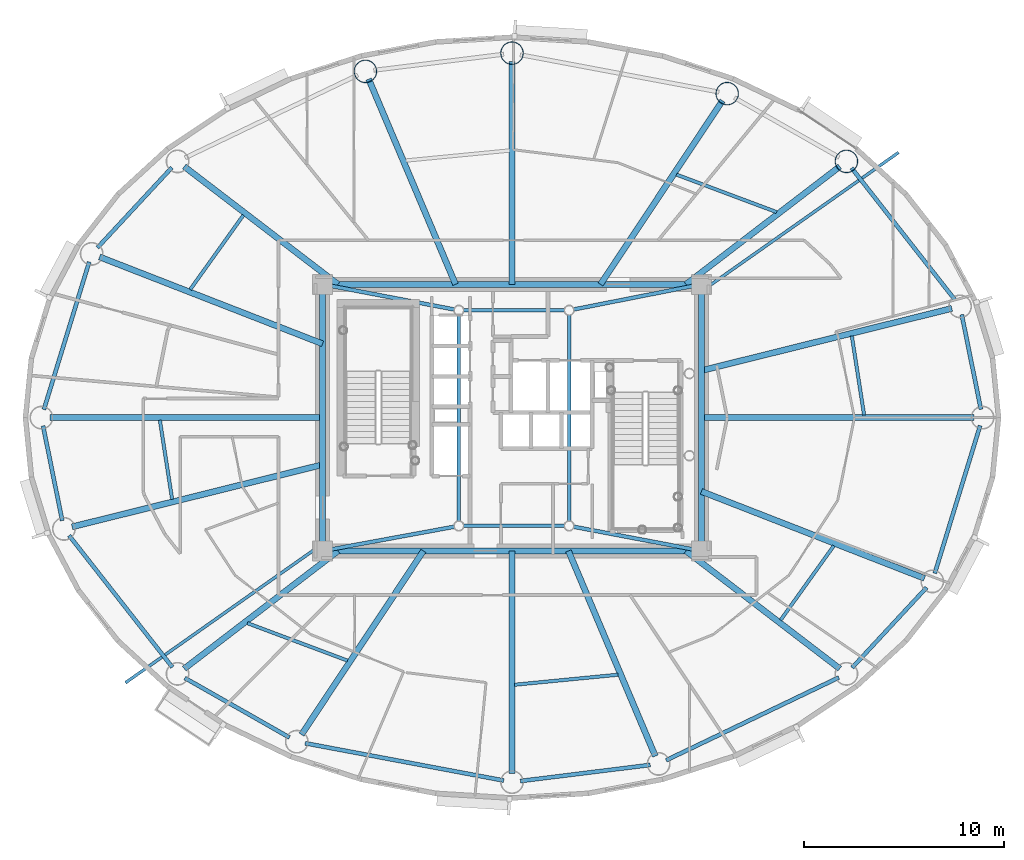
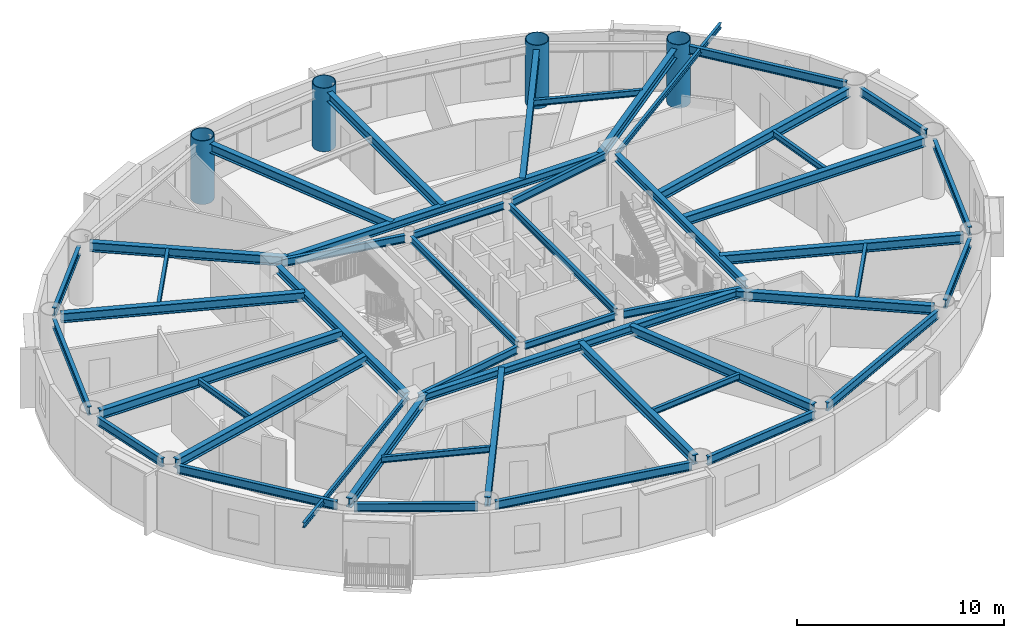
# One storey, part 3 of 18: 49 beams, 4 columns.
"""IFC4 building model written with IfcOpenShell, lengths in metres."""

from ifc_helpers import new_model, si_unit, direction, frame, origin, origin_2d, place, context, subcontext, project, spatial, hollow_circle, i_section, extrude, material, material_profile, profile_set, type_object, element, save


model = new_model("IFC4")

# Units and contexts
model_context = context("Model", 3, precision=1e-05, world=origin(), true_north=direction((0.0, 1.0)))
body_context = subcontext(model_context, "Body", "Model", "MODEL_VIEW")
ifc_project = project(units=[si_unit("LENGTHUNIT", "METRE"), si_unit("AREAUNIT", "SQUARE_METRE"), si_unit("VOLUMEUNIT", "CUBIC_METRE"), si_unit("PLANEANGLEUNIT", "RADIAN"), si_unit("MASSUNIT", "GRAM", prefix="KILO")], contexts=[model_context])

# Site, building, storey
site_placement = place(None, origin())
site = spatial("IfcSite", under=ifc_project, at=site_placement, CompositionType="ELEMENT")
building_placement = place(site_placement, origin())
building = spatial("IfcBuilding", under=site, at=building_placement, Name="Linh Dai School and Residence Tower", CompositionType="ELEMENT")
storey_placement = place(building_placement, frame((0.0, 0.0, 244.050048828125)))
storey = spatial("IfcBuildingStorey", under=building, at=storey_placement, Name="L60", CompositionType="ELEMENT", Elevation=244.050048828125)

# Columns
ifc_material = material(Name="Structural Steel S355JR", Category="steel")
ifc_material_profile_1 = material_profile(ifc_material, hollow_circle(Radius=0.574951171875, WallThickness=0.035888671875, at=origin_2d()), Name="CHS 1150x36")
ifc_profile_set_1 = profile_set([ifc_material_profile_1], Name="Structural Steel S355JR")
column_type = type_object("IfcColumnType", Name="COL-MC5", PredefinedType="COLUMN", material=ifc_profile_set_1)
for number, where, z_axis, x_axis, name in (
    (1, (52.68310546875, 39.781005859375, 0.0), (0.0, 0.0, 1.0), (1.0, 0.0, 0.0), "L60 Perimeter CFT Mega-Column MC03"),
    (2, (46.734619140625, 43.16357421875, 0.0), (0.0, 0.0, 1.0), (1.0, 0.0, 0.0), "L60 Perimeter CFT Mega-Column MC04"),
    (3, (36.0, 45.179931640625, 0.0), (0.0, 0.0, 1.0), (1.0, 0.0, 0.0), "L60 Perimeter CFT Mega-Column MC05"),
    (4, (28.68798828125, 44.2734375, 0.0), (0.0, 0.0, 1.0), (1.0, 0.0, 0.0), "L60 Perimeter CFT Mega-Column MC06"),
):
    element("IfcColumn", number, at=place(storey_placement, frame(where, z_axis=z_axis, x_axis=x_axis)), inside=storey, type_object=column_type, Name=name, PredefinedType="COLUMN", context=body_context, shape_type="SweptSolid", body=[
        extrude(hollow_circle(Radius=0.574951171875, WallThickness=0.035888671875, at=origin_2d()), origin(), (0.0, 0.0, 1.0), 3.75),
    ])

# Beams
ifc_material_profile_2 = material_profile(ifc_material, i_section(OverallWidth=0.14990234375, OverallDepth=0.300048828125, WebThickness=0.007080078125, FlangeThickness=0.0107421875, at=origin_2d()), Name="IPE 300")
ifc_profile_set_2 = profile_set([ifc_material_profile_2], Name="Structural Steel S355JR")
beam_type_1 = type_object("IfcBeamType", Name="BM-BALC-CANT", PredefinedType="BEAM", material=ifc_profile_set_2)
for number, where, z_axis, x_axis, name in (
    (5, (45.449951171875, 33.301513671875, 3.349853515625), (0.817596484683, 0.57579161876, 0.0), (-0.57579161876, 0.817596484683, 0.0), "L61 Balcony Continuous Cantilever Beam 05"),
    (6, (26.550048828125, 20.698486328125, 3.349853515625), (-0.817596484683, -0.57579161876, 0.0), (0.57579161876, -0.817596484683, 0.0), "L61 Balcony Continuous Cantilever Beam 25"),
):
    element("IfcBeam", number, at=place(storey_placement, frame(where, z_axis=z_axis, x_axis=x_axis)), inside=storey, type_object=beam_type_1, Name=name, PredefinedType="BEAM", context=body_context, shape_type="SweptSolid", body=[
        extrude(i_section(OverallWidth=0.14990234375, OverallDepth=0.300048828125, WebThickness=0.007080078125, FlangeThickness=0.0107421875, at=origin_2d()), origin(), (0.0, 0.0, 1.0), 12.02392578125),
    ])
ifc_material_profile_3 = material_profile(ifc_material, i_section(OverallWidth=0.199951171875, OverallDepth=0.5, WebThickness=0.01025390625, FlangeThickness=0.01611328125, FilletRadius=0.02099609375, at=origin_2d()), Name="IPE 500")
ifc_profile_set_3 = profile_set([ifc_material_profile_3], Name="Structural Steel S355JR")
beam_type_2 = type_object("IfcBeamType", Name="BM-RB50", PredefinedType="BEAM", material=ifc_profile_set_3)
beam_1_placement = place(storey_placement, frame((59.3916015625, 27.41162109375, 3.25), z_axis=(-0.198423200906, 0.980116438666, 0.0), x_axis=(-0.980116438666, -0.198423200906, 0.0)))
element("IfcBeam", 7, at=beam_1_placement, inside=storey, type_object=beam_type_2, Name="L60 Perimeter Elliptical Ring Beam 01", PredefinedType="BEAM", context=body_context, shape_type="SweptSolid", body=[
    extrude(i_section(OverallWidth=0.199951171875, OverallDepth=0.5, WebThickness=0.01025390625, FlangeThickness=0.01611328125, FilletRadius=0.02099609375, at=origin_2d()), origin(), (0.0, 0.0, 1.0), 4.822021484375),
])
beam_2_placement = place(storey_placement, frame((58.09228515625, 32.8798828125, 3.25), z_axis=(-0.616900268003, 0.787041332674, 0.0), x_axis=(-0.787041332674, -0.616900268003, 0.0)))
element("IfcBeam", 8, at=beam_2_placement, inside=storey, type_object=beam_type_2, Name="L60 Perimeter Elliptical Ring Beam 02", PredefinedType="BEAM", context=body_context, shape_type="SweptSolid", body=[
    extrude(i_section(OverallWidth=0.199951171875, OverallDepth=0.5, WebThickness=0.01025390625, FlangeThickness=0.01611328125, FilletRadius=0.02099609375, at=origin_2d()), origin(), (0.0, 0.0, 1.0), 8.348388671875),
])
beam_3_placement = place(storey_placement, frame((19.031005859375, 39.47314453125, 3.25), z_axis=(-0.68040816846, -0.732833353699, 0.0), x_axis=(0.732833353699, -0.68040816846, 0.0)))
element("IfcBeam", 9, at=beam_3_placement, inside=storey, type_object=beam_type_2, Name="L60 Perimeter Elliptical Ring Beam 07", PredefinedType="BEAM", context=body_context, shape_type="SweptSolid", body=[
    extrude(i_section(OverallWidth=0.199951171875, OverallDepth=0.5, WebThickness=0.01025390625, FlangeThickness=0.01611328125, FilletRadius=0.02099609375, at=origin_2d()), origin(), (0.0, 0.0, 1.0), 5.453369140625),
])
beam_4_placement = place(storey_placement, frame((14.911376953125, 34.767578125, 3.25), z_axis=(-0.293660595717, -0.95590975229, 0.0), x_axis=(0.95590975229, -0.293660595717, 0.0)))
element("IfcBeam", 10, at=beam_4_placement, inside=storey, type_object=beam_type_2, Name="L60 Perimeter Elliptical Ring Beam 08", PredefinedType="BEAM", context=body_context, shape_type="SweptSolid", body=[
    extrude(i_section(OverallWidth=0.199951171875, OverallDepth=0.5, WebThickness=0.01025390625, FlangeThickness=0.01611328125, FilletRadius=0.02099609375, at=origin_2d()), origin(), (0.0, 0.0, 1.0), 7.7060546875),
])
beam_5_placement = place(storey_placement, frame((12.6083984375, 26.58837890625, 3.25), z_axis=(0.198423200906, -0.980116438666, 0.0), x_axis=(0.980116438666, 0.198423200906, 0.0)))
element("IfcBeam", 11, at=beam_5_placement, inside=storey, type_object=beam_type_2, Name="L60 Perimeter Elliptical Ring Beam 09", PredefinedType="BEAM", context=body_context, shape_type="SweptSolid", body=[
    extrude(i_section(OverallWidth=0.199951171875, OverallDepth=0.5, WebThickness=0.01025390625, FlangeThickness=0.01611328125, FilletRadius=0.02099609375, at=origin_2d()), origin(), (0.0, 0.0, 1.0), 4.822021484375),
])
beam_6_placement = place(storey_placement, frame((13.90771484375, 21.1201171875, 3.25), z_axis=(0.616900268003, -0.787041332674, 0.0), x_axis=(0.787041332674, 0.616900268003, 0.0)))
element("IfcBeam", 12, at=beam_6_placement, inside=storey, type_object=beam_type_2, Name="L60 Perimeter Elliptical Ring Beam 10", PredefinedType="BEAM", context=body_context, shape_type="SweptSolid", body=[
    extrude(i_section(OverallWidth=0.199951171875, OverallDepth=0.5, WebThickness=0.01025390625, FlangeThickness=0.01611328125, FilletRadius=0.02099609375, at=origin_2d()), origin(), (0.0, 0.0, 1.0), 8.348388671875),
])
beam_7_placement = place(storey_placement, frame((19.681884765625, 14.011474609375, 3.25), z_axis=(0.869297314463, -0.494289570058, 0.0), x_axis=(0.494289570058, 0.869297314463, 0.0)))
element("IfcBeam", 13, at=beam_7_placement, inside=storey, type_object=beam_type_2, Name="L60 Perimeter Elliptical Ring Beam 11", PredefinedType="BEAM", context=body_context, shape_type="SweptSolid", body=[
    extrude(i_section(OverallWidth=0.199951171875, OverallDepth=0.5, WebThickness=0.01025390625, FlangeThickness=0.01611328125, FilletRadius=0.02099609375, at=origin_2d()), origin(), (0.0, 0.0, 1.0), 6.003173828125),
])
beam_8_placement = place(storey_placement, frame((25.67822265625, 10.759033203125, 3.25), z_axis=(0.982806607762, -0.184637947722, 0.0), x_axis=(0.184637947722, 0.982806607762, 0.0)))
element("IfcBeam", 14, at=beam_8_placement, inside=storey, type_object=beam_type_2, Name="L60 Perimeter Elliptical Ring Beam 12", PredefinedType="BEAM", context=body_context, shape_type="SweptSolid", body=[
    extrude(i_section(OverallWidth=0.199951171875, OverallDepth=0.5, WebThickness=0.01025390625, FlangeThickness=0.01611328125, FilletRadius=0.02099609375, at=origin_2d()), origin(), (0.0, 0.0, 1.0), 10.082275390625),
])
beam_9_placement = place(storey_placement, frame((36.416748046875, 8.87158203125, 3.25), z_axis=(0.992401656104, 0.123040452539, 0.0), x_axis=(-0.123040452539, 0.992401656104, 0.0)))
element("IfcBeam", 15, at=beam_9_placement, inside=storey, type_object=beam_type_2, Name="L60 Perimeter Elliptical Ring Beam 13", PredefinedType="BEAM", context=body_context, shape_type="SweptSolid", body=[
    extrude(i_section(OverallWidth=0.199951171875, OverallDepth=0.5, WebThickness=0.01025390625, FlangeThickness=0.01611328125, FilletRadius=0.02099609375, at=origin_2d()), origin(), (0.0, 0.0, 1.0), 6.528076171875),
])
beam_10_placement = place(storey_placement, frame((43.690673828125, 9.907958984375, 3.25), z_axis=(0.901735920201, 0.432287323686, 0.0), x_axis=(-0.432287323686, 0.901735920201, 0.0)))
element("IfcBeam", 16, at=beam_10_placement, inside=storey, type_object=beam_type_2, Name="L60 Perimeter Elliptical Ring Beam 14", PredefinedType="BEAM", context=body_context, shape_type="SweptSolid", body=[
    extrude(i_section(OverallWidth=0.199951171875, OverallDepth=0.5, WebThickness=0.01025390625, FlangeThickness=0.01611328125, FilletRadius=0.02099609375, at=origin_2d()), origin(), (0.0, 0.0, 1.0), 9.552490234375),
])
beam_11_placement = place(storey_placement, frame((52.968994140625, 14.52685546875, 3.25), z_axis=(0.68040816846, 0.732833353699, 0.0), x_axis=(-0.732833353699, 0.68040816846, 0.0)))
element("IfcBeam", 17, at=beam_11_placement, inside=storey, type_object=beam_type_2, Name="L60 Perimeter Elliptical Ring Beam 15", PredefinedType="BEAM", context=body_context, shape_type="SweptSolid", body=[
    extrude(i_section(OverallWidth=0.199951171875, OverallDepth=0.5, WebThickness=0.01025390625, FlangeThickness=0.01611328125, FilletRadius=0.02099609375, at=origin_2d()), origin(), (0.0, 0.0, 1.0), 5.453369140625),
])
beam_12_placement = place(storey_placement, frame((57.088623046875, 19.232421875, 3.25), z_axis=(0.293660595717, 0.95590975229, 0.0), x_axis=(-0.95590975229, 0.293660595717, 0.0)))
element("IfcBeam", 18, at=beam_12_placement, inside=storey, type_object=beam_type_2, Name="L60 Perimeter Elliptical Ring Beam 16", PredefinedType="BEAM", context=body_context, shape_type="SweptSolid", body=[
    extrude(i_section(OverallWidth=0.199951171875, OverallDepth=0.5, WebThickness=0.01025390625, FlangeThickness=0.01611328125, FilletRadius=0.02099609375, at=origin_2d()), origin(), (0.0, 0.0, 1.0), 7.7060546875),
])
ifc_material_profile_4 = material_profile(ifc_material, i_section(OverallWidth=0.300048828125, OverallDepth=0.449951171875, WebThickness=0.013916015625, FlangeThickness=0.02587890625, FilletRadius=0.027099609375, at=origin_2d()), Name="HEB 450")
ifc_profile_set_4 = profile_set([ifc_material_profile_4], Name="Structural Steel S355JR")
beam_type_3 = type_object("IfcBeamType", Name="BM-RG45", PredefinedType="BEAM", material=ifc_profile_set_4)
beam_13_placement = place(storey_placement, frame((26.969970703125, 20.35009765625, 3.27490234375), z_axis=(1.0, 0.0, 0.0), x_axis=(0.0, 1.0, 0.0)))
element("IfcBeam", 19, at=beam_13_placement, inside=storey, type_object=beam_type_3, Name="L60 Core Perimeter Coupling Girder 1", PredefinedType="BEAM", context=body_context, shape_type="SweptSolid", body=[
    extrude(i_section(OverallWidth=0.300048828125, OverallDepth=0.449951171875, WebThickness=0.013916015625, FlangeThickness=0.02587890625, FilletRadius=0.027099609375, at=origin_2d()), origin(), (0.0, 0.0, 1.0), 18.06005859375),
])
beam_14_placement = place(storey_placement, frame((45.449951171875, 20.77001953125, 3.27490234375), z_axis=(0.0, 1.0, 0.0), x_axis=(-1.0, 0.0, 0.0)))
element("IfcBeam", 20, at=beam_14_placement, inside=storey, type_object=beam_type_3, Name="L60 Core Perimeter Coupling Girder 2", PredefinedType="BEAM", context=body_context, shape_type="SweptSolid", body=[
    extrude(i_section(OverallWidth=0.300048828125, OverallDepth=0.449951171875, WebThickness=0.013916015625, FlangeThickness=0.02587890625, FilletRadius=0.027099609375, at=origin_2d()), origin(), (0.0, 0.0, 1.0), 12.4599609375),
])
beam_15_placement = place(storey_placement, frame((45.030029296875, 33.64990234375, 3.27490234375), z_axis=(-1.0, 0.0, 0.0), x_axis=(0.0, -1.0, 0.0)))
element("IfcBeam", 21, at=beam_15_placement, inside=storey, type_object=beam_type_3, Name="L60 Core Perimeter Coupling Girder 3", PredefinedType="BEAM", context=body_context, shape_type="SweptSolid", body=[
    extrude(i_section(OverallWidth=0.300048828125, OverallDepth=0.449951171875, WebThickness=0.013916015625, FlangeThickness=0.02587890625, FilletRadius=0.027099609375, at=origin_2d()), origin(), (0.0, 0.0, 1.0), 18.06005859375),
])
beam_16_placement = place(storey_placement, frame((26.550048828125, 33.22998046875, 3.27490234375), z_axis=(0.0, -1.0, 0.0), x_axis=(1.0, 0.0, 0.0)))
element("IfcBeam", 22, at=beam_16_placement, inside=storey, type_object=beam_type_3, Name="L60 Core Perimeter Coupling Girder 4", PredefinedType="BEAM", context=body_context, shape_type="SweptSolid", body=[
    extrude(i_section(OverallWidth=0.300048828125, OverallDepth=0.449951171875, WebThickness=0.013916015625, FlangeThickness=0.02587890625, FilletRadius=0.027099609375, at=origin_2d()), origin(), (0.0, 0.0, 1.0), 12.4599609375),
])
ifc_material_profile_5 = material_profile(ifc_material, i_section(OverallWidth=0.300048828125, OverallDepth=0.550048828125, WebThickness=0.014892578125, FlangeThickness=0.029052734375, FilletRadius=0.027099609375, at=origin_2d()), Name="HEB 550")
ifc_profile_set_5 = profile_set([ifc_material_profile_5], Name="Structural Steel S355JR")
beam_type_4 = type_object("IfcBeamType", Name="BM-RG55", PredefinedType="BEAM", material=ifc_profile_set_5)
beam_17_placement = place(storey_placement, frame((45.449951171875, 27.0, 3.224853515625), z_axis=(1.0, 0.0, 0.0), x_axis=(0.0, 1.0, 0.0)))
element("IfcBeam", 23, at=beam_17_placement, inside=storey, type_object=beam_type_4, Name="L60 Primary Radial Floor Girder 01", PredefinedType="BEAM", context=body_context, shape_type="SweptSolid", body=[
    extrude(i_section(OverallWidth=0.300048828125, OverallDepth=0.550048828125, WebThickness=0.014892578125, FlangeThickness=0.029052734375, FilletRadius=0.027099609375, at=origin_2d()), origin(), (0.0, 0.0, 1.0), 13.60498046875),
])
beam_18_placement = place(storey_placement, frame((45.449951171875, 29.34619140625, 3.224853515625), z_axis=(0.970537241974, 0.240951160904, 0.0), x_axis=(-0.240951160904, 0.970537241974, 0.0)))
element("IfcBeam", 24, at=beam_18_placement, inside=storey, type_object=beam_type_4, Name="L60 Primary Radial Floor Girder 02", PredefinedType="BEAM", context=body_context, shape_type="SweptSolid", body=[
    extrude(i_section(OverallWidth=0.300048828125, OverallDepth=0.550048828125, WebThickness=0.014892578125, FlangeThickness=0.029052734375, FilletRadius=0.027099609375, at=origin_2d()), origin(), (0.0, 0.0, 1.0), 12.873291015625),
])
beam_19_placement = place(storey_placement, frame((44.680419921875, 33.64990234375, 3.224853515625), z_axis=(0.793814553483, 0.608159892363, 0.0), x_axis=(-0.608159892363, 0.793814553483, 0.0)))
element("IfcBeam", 25, at=beam_19_placement, inside=storey, type_object=beam_type_4, Name="L60 Primary Radial Floor Girder 03", PredefinedType="BEAM", context=body_context, shape_type="SweptSolid", body=[
    extrude(i_section(OverallWidth=0.300048828125, OverallDepth=0.550048828125, WebThickness=0.014892578125, FlangeThickness=0.029052734375, FilletRadius=0.027099609375, at=origin_2d()), origin(), (0.0, 0.0, 1.0), 9.661376953125),
])
beam_20_placement = place(storey_placement, frame((40.41650390625, 33.64990234375, 3.224853515625), z_axis=(0.553219177991, 0.833035738191, 0.0), x_axis=(-0.833035738191, 0.553219177991, 0.0)))
element("IfcBeam", 26, at=beam_20_placement, inside=storey, type_object=beam_type_4, Name="L60 Primary Radial Floor Girder 04", PredefinedType="BEAM", context=body_context, shape_type="SweptSolid", body=[
    extrude(i_section(OverallWidth=0.300048828125, OverallDepth=0.550048828125, WebThickness=0.014892578125, FlangeThickness=0.029052734375, FilletRadius=0.027099609375, at=origin_2d()), origin(), (0.0, 0.0, 1.0), 11.00048828125),
])
beam_21_placement = place(storey_placement, frame((36.0, 33.64990234375, 3.224853515625), z_axis=(0.0, 1.0, 0.0), x_axis=(-1.0, 0.0, 0.0)))
element("IfcBeam", 27, at=beam_21_placement, inside=storey, type_object=beam_type_4, Name="L60 Primary Radial Floor Girder 05", PredefinedType="BEAM", context=body_context, shape_type="SweptSolid", body=[
    extrude(i_section(OverallWidth=0.300048828125, OverallDepth=0.550048828125, WebThickness=0.014892578125, FlangeThickness=0.029052734375, FilletRadius=0.027099609375, at=origin_2d()), origin(), (0.0, 0.0, 1.0), 11.110107421875),
])
beam_22_placement = place(storey_placement, frame((33.18505859375, 33.64990234375, 3.224853515625), z_axis=(-0.389814803082, 0.920893272479, 0.0), x_axis=(-0.920893272479, -0.389814803082, 0.0)))
element("IfcBeam", 28, at=beam_22_placement, inside=storey, type_object=beam_type_4, Name="L60 Primary Radial Floor Girder 06", PredefinedType="BEAM", context=body_context, shape_type="SweptSolid", body=[
    extrude(i_section(OverallWidth=0.300048828125, OverallDepth=0.550048828125, WebThickness=0.014892578125, FlangeThickness=0.029052734375, FilletRadius=0.027099609375, at=origin_2d()), origin(), (0.0, 0.0, 1.0), 11.1162109375),
])
beam_23_placement = place(storey_placement, frame((27.319580078125, 33.64990234375, 3.224853515625), z_axis=(-0.793814553483, 0.608159892363, 0.0), x_axis=(-0.608159892363, -0.793814553483, 0.0)))
element("IfcBeam", 29, at=beam_23_placement, inside=storey, type_object=beam_type_4, Name="L60 Primary Radial Floor Girder 07", PredefinedType="BEAM", context=body_context, shape_type="SweptSolid", body=[
    extrude(i_section(OverallWidth=0.300048828125, OverallDepth=0.550048828125, WebThickness=0.014892578125, FlangeThickness=0.029052734375, FilletRadius=0.027099609375, at=origin_2d()), origin(), (0.0, 0.0, 1.0), 9.661376953125),
])
beam_24_placement = place(storey_placement, frame((26.550048828125, 30.68212890625, 3.224853515625), z_axis=(-0.931764994123, 0.363061972295, 0.0), x_axis=(-0.363061972295, -0.931764994123, 0.0)))
element("IfcBeam", 30, at=beam_24_placement, inside=storey, type_object=beam_type_4, Name="L60 Primary Radial Floor Girder 08", PredefinedType="BEAM", context=body_context, shape_type="SweptSolid", body=[
    extrude(i_section(OverallWidth=0.300048828125, OverallDepth=0.550048828125, WebThickness=0.014892578125, FlangeThickness=0.029052734375, FilletRadius=0.027099609375, at=origin_2d()), origin(), (0.0, 0.0, 1.0), 11.938720703125),
])
beam_25_placement = place(storey_placement, frame((26.550048828125, 27.0, 3.224853515625), z_axis=(-1.0, 0.0, 0.0), x_axis=(0.0, -1.0, 0.0)))
element("IfcBeam", 31, at=beam_25_placement, inside=storey, type_object=beam_type_4, Name="L60 Primary Radial Floor Girder 09", PredefinedType="BEAM", context=body_context, shape_type="SweptSolid", body=[
    extrude(i_section(OverallWidth=0.300048828125, OverallDepth=0.550048828125, WebThickness=0.014892578125, FlangeThickness=0.029052734375, FilletRadius=0.027099609375, at=origin_2d()), origin(), (0.0, 0.0, 1.0), 13.60498046875),
])
beam_26_placement = place(storey_placement, frame((26.550048828125, 24.65380859375, 3.224853515625), z_axis=(-0.970537241974, -0.240951160904, 0.0), x_axis=(0.240951160904, -0.970537241974, 0.0)))
element("IfcBeam", 32, at=beam_26_placement, inside=storey, type_object=beam_type_4, Name="L60 Primary Radial Floor Girder 10", PredefinedType="BEAM", context=body_context, shape_type="SweptSolid", body=[
    extrude(i_section(OverallWidth=0.300048828125, OverallDepth=0.550048828125, WebThickness=0.014892578125, FlangeThickness=0.029052734375, FilletRadius=0.027099609375, at=origin_2d()), origin(), (0.0, 0.0, 1.0), 12.873291015625),
])
beam_27_placement = place(storey_placement, frame((27.319580078125, 20.35009765625, 3.224853515625), z_axis=(-0.793814553483, -0.608159892363, 0.0), x_axis=(0.608159892363, -0.793814553483, 0.0)))
element("IfcBeam", 33, at=beam_27_placement, inside=storey, type_object=beam_type_4, Name="L60 Primary Radial Floor Girder 11", PredefinedType="BEAM", context=body_context, shape_type="SweptSolid", body=[
    extrude(i_section(OverallWidth=0.300048828125, OverallDepth=0.550048828125, WebThickness=0.014892578125, FlangeThickness=0.029052734375, FilletRadius=0.027099609375, at=origin_2d()), origin(), (0.0, 0.0, 1.0), 9.661376953125),
])
beam_28_placement = place(storey_placement, frame((31.58349609375, 20.35009765625, 3.224853515625), z_axis=(-0.553219177991, -0.833035738191, 0.0), x_axis=(0.833035738191, -0.553219177991, 0.0)))
element("IfcBeam", 34, at=beam_28_placement, inside=storey, type_object=beam_type_4, Name="L60 Primary Radial Floor Girder 12", PredefinedType="BEAM", context=body_context, shape_type="SweptSolid", body=[
    extrude(i_section(OverallWidth=0.300048828125, OverallDepth=0.550048828125, WebThickness=0.014892578125, FlangeThickness=0.029052734375, FilletRadius=0.027099609375, at=origin_2d()), origin(), (0.0, 0.0, 1.0), 11.00048828125),
])
beam_29_placement = place(storey_placement, frame((36.0, 20.35009765625, 3.224853515625), z_axis=(0.0, -1.0, 0.0), x_axis=(1.0, 0.0, 0.0)))
element("IfcBeam", 35, at=beam_29_placement, inside=storey, type_object=beam_type_4, Name="L60 Primary Radial Floor Girder 13", PredefinedType="BEAM", context=body_context, shape_type="SweptSolid", body=[
    extrude(i_section(OverallWidth=0.300048828125, OverallDepth=0.550048828125, WebThickness=0.014892578125, FlangeThickness=0.029052734375, FilletRadius=0.027099609375, at=origin_2d()), origin(), (0.0, 0.0, 1.0), 11.110107421875),
])
beam_30_placement = place(storey_placement, frame((38.81494140625, 20.35009765625, 3.224853515625), z_axis=(0.389814803082, -0.920893272479, 0.0), x_axis=(0.920893272479, 0.389814803082, 0.0)))
element("IfcBeam", 36, at=beam_30_placement, inside=storey, type_object=beam_type_4, Name="L60 Primary Radial Floor Girder 14", PredefinedType="BEAM", context=body_context, shape_type="SweptSolid", body=[
    extrude(i_section(OverallWidth=0.300048828125, OverallDepth=0.550048828125, WebThickness=0.014892578125, FlangeThickness=0.029052734375, FilletRadius=0.027099609375, at=origin_2d()), origin(), (0.0, 0.0, 1.0), 11.1162109375),
])
beam_31_placement = place(storey_placement, frame((44.680419921875, 20.35009765625, 3.224853515625), z_axis=(0.793814553483, -0.608159892363, 0.0), x_axis=(0.608159892363, 0.793814553483, 0.0)))
element("IfcBeam", 37, at=beam_31_placement, inside=storey, type_object=beam_type_4, Name="L60 Primary Radial Floor Girder 15", PredefinedType="BEAM", context=body_context, shape_type="SweptSolid", body=[
    extrude(i_section(OverallWidth=0.300048828125, OverallDepth=0.550048828125, WebThickness=0.014892578125, FlangeThickness=0.029052734375, FilletRadius=0.027099609375, at=origin_2d()), origin(), (0.0, 0.0, 1.0), 9.661376953125),
])
beam_32_placement = place(storey_placement, frame((45.449951171875, 23.31787109375, 3.224853515625), z_axis=(0.931764994123, -0.363061972295, 0.0), x_axis=(0.363061972295, 0.931764994123, 0.0)))
element("IfcBeam", 38, at=beam_32_placement, inside=storey, type_object=beam_type_4, Name="L60 Primary Radial Floor Girder 16", PredefinedType="BEAM", context=body_context, shape_type="SweptSolid", body=[
    extrude(i_section(OverallWidth=0.300048828125, OverallDepth=0.550048828125, WebThickness=0.014892578125, FlangeThickness=0.029052734375, FilletRadius=0.027099609375, at=origin_2d()), origin(), (0.0, 0.0, 1.0), 11.938720703125),
])
ifc_material_profile_6 = material_profile(ifc_material, i_section(OverallWidth=0.169921875, OverallDepth=0.360107421875, WebThickness=0.008056640625, FlangeThickness=0.0126953125, FilletRadius=0.01806640625, at=origin_2d()), Name="IPE 360")
ifc_profile_set_6 = profile_set([ifc_material_profile_6], Name="Structural Steel S355JR")
beam_type_5 = type_object("IfcBeamType", Name="BM-SB36", PredefinedType="BEAM", material=ifc_profile_set_6)
beam_33_placement = place(storey_placement, frame((53.564697265625, 27.12841796875, 3.320068359375), z_axis=(-0.153237508203, 0.988189387759, 0.0), x_axis=(-0.988189387759, -0.153237508203, 0.0)))
element("IfcBeam", 39, at=beam_33_placement, inside=storey, type_object=beam_type_5, Name="L60 Secondary Circumferential Floor Beam 01", PredefinedType="BEAM", context=body_context, shape_type="SweptSolid", body=[
    extrude(i_section(OverallWidth=0.169921875, OverallDepth=0.360107421875, WebThickness=0.008056640625, FlangeThickness=0.0126953125, FilletRadius=0.01806640625, at=origin_2d()), origin(), (0.0, 0.0, 1.0), 3.994140625),
])
beam_34_placement = place(storey_placement, frame((49.2001953125, 37.25146484375, 3.320068359375), z_axis=(-0.936528326754, 0.350591918315, 0.0), x_axis=(-0.350591918315, -0.936528326754, 0.0)))
element("IfcBeam", 40, at=beam_34_placement, inside=storey, type_object=beam_type_5, Name="L60 Secondary Circumferential Floor Beam 02", PredefinedType="BEAM", context=body_context, shape_type="SweptSolid", body=[
    extrude(i_section(OverallWidth=0.169921875, OverallDepth=0.360107421875, WebThickness=0.008056640625, FlangeThickness=0.0126953125, FilletRadius=0.01806640625, at=origin_2d()), origin(), (0.0, 0.0, 1.0), 5.336181640625),
])
beam_35_placement = place(storey_placement, frame((22.602294921875, 37.100341796875, 3.320068359375), z_axis=(-0.582017423054, -0.813176314991, 0.0), x_axis=(0.813176314991, -0.582017423054, 0.0)))
element("IfcBeam", 41, at=beam_35_placement, inside=storey, type_object=beam_type_5, Name="L60 Secondary Circumferential Floor Beam 04", PredefinedType="BEAM", context=body_context, shape_type="SweptSolid", body=[
    extrude(i_section(OverallWidth=0.169921875, OverallDepth=0.360107421875, WebThickness=0.008056640625, FlangeThickness=0.0126953125, FilletRadius=0.01806640625, at=origin_2d()), origin(), (0.0, 0.0, 1.0), 4.5625),
])
beam_36_placement = place(storey_placement, frame((18.435302734375, 26.87158203125, 3.320068359375), z_axis=(0.153237508203, -0.988189387759, 0.0), x_axis=(0.988189387759, 0.153237508203, 0.0)))
element("IfcBeam", 42, at=beam_36_placement, inside=storey, type_object=beam_type_5, Name="L60 Secondary Circumferential Floor Beam 05", PredefinedType="BEAM", context=body_context, shape_type="SweptSolid", body=[
    extrude(i_section(OverallWidth=0.169921875, OverallDepth=0.360107421875, WebThickness=0.008056640625, FlangeThickness=0.0126953125, FilletRadius=0.01806640625, at=origin_2d()), origin(), (0.0, 0.0, 1.0), 3.994140625),
])
beam_37_placement = place(storey_placement, frame((22.7998046875, 16.74853515625, 3.320068359375), z_axis=(0.936528326754, -0.350591918315, 0.0), x_axis=(0.350591918315, 0.936528326754, 0.0)))
element("IfcBeam", 43, at=beam_37_placement, inside=storey, type_object=beam_type_5, Name="L60 Secondary Circumferential Floor Beam 06", PredefinedType="BEAM", context=body_context, shape_type="SweptSolid", body=[
    extrude(i_section(OverallWidth=0.169921875, OverallDepth=0.360107421875, WebThickness=0.008056640625, FlangeThickness=0.0126953125, FilletRadius=0.01806640625, at=origin_2d()), origin(), (0.0, 0.0, 1.0), 5.336181640625),
])
beam_38_placement = place(storey_placement, frame((36.12939453125, 13.675048828125, 3.320068359375), z_axis=(0.995332680487, 0.096503135467, 0.0), x_axis=(-0.096503135467, 0.995332680487, 0.0)))
element("IfcBeam", 44, at=beam_38_placement, inside=storey, type_object=beam_type_5, Name="L60 Secondary Circumferential Floor Beam 07", PredefinedType="BEAM", context=body_context, shape_type="SweptSolid", body=[
    extrude(i_section(OverallWidth=0.169921875, OverallDepth=0.360107421875, WebThickness=0.008056640625, FlangeThickness=0.0126953125, FilletRadius=0.01806640625, at=origin_2d()), origin(), (0.0, 0.0, 1.0), 5.188720703125),
])
beam_39_placement = place(storey_placement, frame((49.397705078125, 16.899658203125, 3.320068359375), z_axis=(0.582017423054, 0.813176314991, 0.0), x_axis=(-0.813176314991, 0.582017423054, 0.0)))
element("IfcBeam", 45, at=beam_39_placement, inside=storey, type_object=beam_type_5, Name="L60 Secondary Circumferential Floor Beam 08", PredefinedType="BEAM", context=body_context, shape_type="SweptSolid", body=[
    extrude(i_section(OverallWidth=0.169921875, OverallDepth=0.360107421875, WebThickness=0.008056640625, FlangeThickness=0.0126953125, FilletRadius=0.01806640625, at=origin_2d()), origin(), (0.0, 0.0, 1.0), 4.5625),
])
ifc_material_profile_7 = material_profile(ifc_material, i_section(OverallWidth=0.179931640625, OverallDepth=0.39990234375, WebThickness=0.008544921875, FlangeThickness=0.013427734375, FilletRadius=0.02099609375, at=origin_2d()), Name="IPE 400")
ifc_profile_set_7 = profile_set([ifc_material_profile_7], Name="Structural Steel S355JR")
beam_type_6 = type_object("IfcBeamType", Name="BM-SB40", PredefinedType="BEAM", material=ifc_profile_set_7)
beam_40_placement = place(storey_placement, frame((33.573974609375, 21.60009765625, 3.300048828125), z_axis=(1.0, 0.0, 0.0), x_axis=(0.0, 1.0, 0.0)))
element("IfcBeam", 46, at=beam_40_placement, inside=storey, type_object=beam_type_6, Name="L60 Core Mast Pier Tie Beam 1", PredefinedType="BEAM", context=body_context, shape_type="SweptSolid", body=[
    extrude(i_section(OverallWidth=0.179931640625, OverallDepth=0.39990234375, WebThickness=0.008544921875, FlangeThickness=0.013427734375, FilletRadius=0.02099609375, at=origin_2d()), origin(), (0.0, 0.0, 1.0), 5.052001953125),
])
beam_41_placement = place(storey_placement, frame((38.85009765625, 21.823974609375, 3.300048828125), z_axis=(0.0, 1.0, 0.0), x_axis=(-1.0, 0.0, 0.0)))
element("IfcBeam", 47, at=beam_41_placement, inside=storey, type_object=beam_type_6, Name="L60 Core Mast Pier Tie Beam 2", PredefinedType="BEAM", context=body_context, shape_type="SweptSolid", body=[
    extrude(i_section(OverallWidth=0.179931640625, OverallDepth=0.39990234375, WebThickness=0.008544921875, FlangeThickness=0.013427734375, FilletRadius=0.02099609375, at=origin_2d()), origin(), (0.0, 0.0, 1.0), 10.302001953125),
])
beam_42_placement = place(storey_placement, frame((38.6259765625, 32.35009765625, 3.300048828125), z_axis=(-1.0, 0.0, 0.0), x_axis=(0.0, -1.0, 0.0)))
element("IfcBeam", 48, at=beam_42_placement, inside=storey, type_object=beam_type_6, Name="L60 Core Mast Pier Tie Beam 3", PredefinedType="BEAM", context=body_context, shape_type="SweptSolid", body=[
    extrude(i_section(OverallWidth=0.179931640625, OverallDepth=0.39990234375, WebThickness=0.008544921875, FlangeThickness=0.013427734375, FilletRadius=0.02099609375, at=origin_2d()), origin(), (0.0, 0.0, 1.0), 5.052001953125),
])
beam_43_placement = place(storey_placement, frame((33.35009765625, 32.1259765625, 3.300048828125), z_axis=(0.0, -1.0, 0.0), x_axis=(1.0, 0.0, 0.0)))
element("IfcBeam", 49, at=beam_43_placement, inside=storey, type_object=beam_type_6, Name="L60 Core Mast Pier Tie Beam 4", PredefinedType="BEAM", context=body_context, shape_type="SweptSolid", body=[
    extrude(i_section(OverallWidth=0.179931640625, OverallDepth=0.39990234375, WebThickness=0.008544921875, FlangeThickness=0.013427734375, FilletRadius=0.02099609375, at=origin_2d()), origin(), (0.0, 0.0, 1.0), 10.302001953125),
])
ifc_material_profile_8 = material_profile(ifc_material, i_section(OverallWidth=0.18994140625, OverallDepth=0.449951171875, WebThickness=0.009521484375, FlangeThickness=0.0146484375, FilletRadius=0.02099609375, at=origin_2d()), Name="IPE 450")
ifc_profile_set_8 = profile_set([ifc_material_profile_8], Name="Structural Steel S355JR")
beam_type_7 = type_object("IfcBeamType", Name="BM-SB45", PredefinedType="BEAM", material=ifc_profile_set_8)
beam_44_placement = place(storey_placement, frame((26.963134765625, 20.426025390625, 3.27490234375), z_axis=(0.983521034508, 0.180793735182, 0.0), x_axis=(-0.180793735182, 0.983521034508, 0.0)))
element("IfcBeam", 50, at=beam_44_placement, inside=storey, type_object=beam_type_7, Name="L60 Core Corner-to-Mast Pier Beam 1", PredefinedType="BEAM", context=body_context, shape_type="SweptSolid", body=[
    extrude(i_section(OverallWidth=0.18994140625, OverallDepth=0.449951171875, WebThickness=0.009521484375, FlangeThickness=0.0146484375, FilletRadius=0.02099609375, at=origin_2d()), origin(), (0.0, 0.0, 1.0), 6.269775390625),
])
beam_45_placement = place(storey_placement, frame((45.037353515625, 20.42822265625, 3.27490234375), z_axis=(-0.982534706692, 0.186079418921, 0.0), x_axis=(-0.186079418921, -0.982534706692, 0.0)))
element("IfcBeam", 51, at=beam_45_placement, inside=storey, type_object=beam_type_7, Name="L60 Core Corner-to-Mast Pier Beam 2", PredefinedType="BEAM", context=body_context, shape_type="SweptSolid", body=[
    extrude(i_section(OverallWidth=0.18994140625, OverallDepth=0.449951171875, WebThickness=0.009521484375, FlangeThickness=0.0146484375, FilletRadius=0.02099609375, at=origin_2d()), origin(), (0.0, 0.0, 1.0), 6.0732421875),
])
beam_46_placement = place(storey_placement, frame((45.037841796875, 33.56884765625, 3.27490234375), z_axis=(-0.981147696489, -0.193259405138, 0.0), x_axis=(0.193259405138, -0.981147696489, 0.0)))
element("IfcBeam", 52, at=beam_46_placement, inside=storey, type_object=beam_type_7, Name="L60 Core Corner-to-Mast Pier Beam 3", PredefinedType="BEAM", context=body_context, shape_type="SweptSolid", body=[
    extrude(i_section(OverallWidth=0.18994140625, OverallDepth=0.449951171875, WebThickness=0.009521484375, FlangeThickness=0.0146484375, FilletRadius=0.02099609375, at=origin_2d()), origin(), (0.0, 0.0, 1.0), 6.082763671875),
])
beam_47_placement = place(storey_placement, frame((26.962646484375, 33.571044921875, 3.27490234375), z_axis=(0.982214129725, -0.187764222812, 0.0), x_axis=(0.187764222812, 0.982214129725, 0.0)))
element("IfcBeam", 53, at=beam_47_placement, inside=storey, type_object=beam_type_7, Name="L60 Core Corner-to-Mast Pier Beam 4", PredefinedType="BEAM", context=body_context, shape_type="SweptSolid", body=[
    extrude(i_section(OverallWidth=0.18994140625, OverallDepth=0.449951171875, WebThickness=0.009521484375, FlangeThickness=0.0146484375, FilletRadius=0.02099609375, at=origin_2d()), origin(), (0.0, 0.0, 1.0), 6.27880859375),
])

save(model, "model.ifc")
